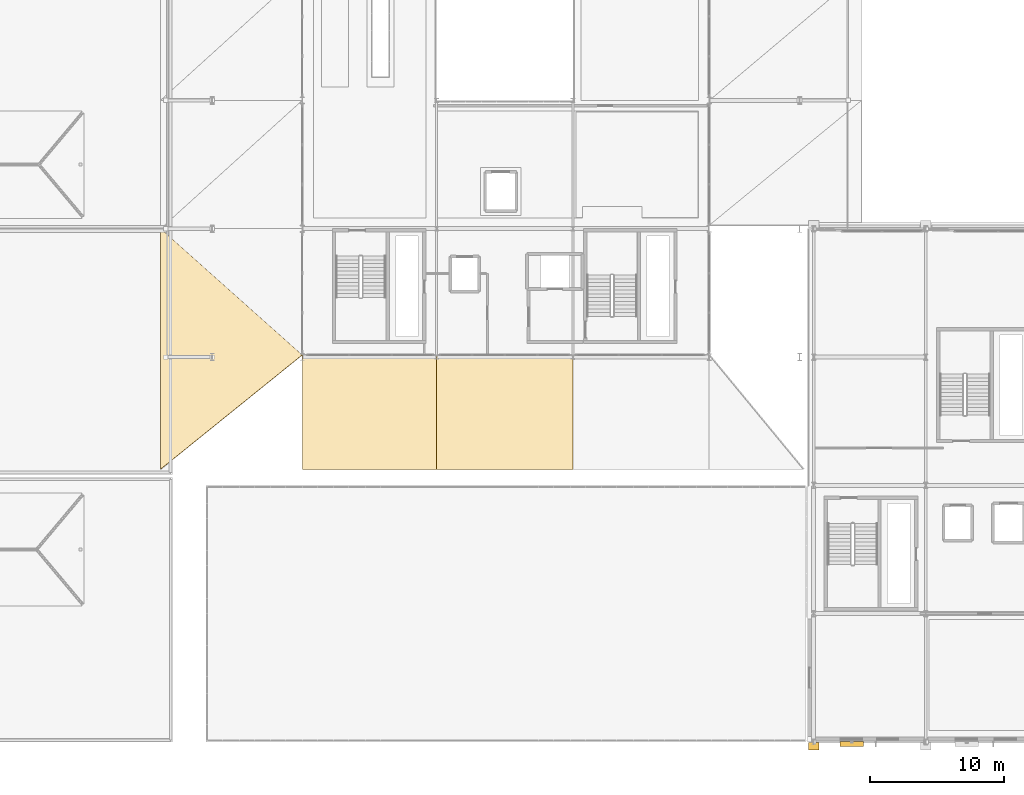
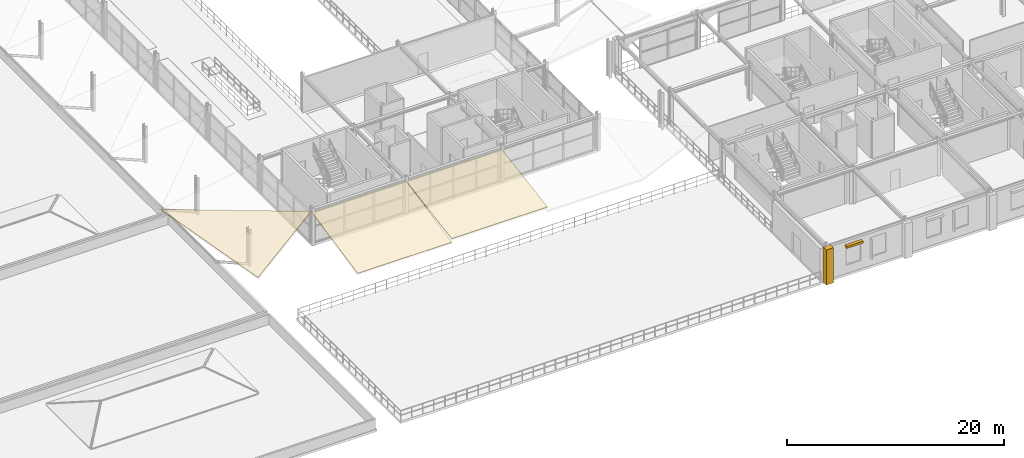
# One storey, part 63 of 81: 4 coverings, 1 shading device.
"""IFC4 building model written with IfcOpenShell, lengths in metres."""

from ifc_helpers import new_model, si_unit, direction, frame, origin, origin_2d, place, context, subcontext, project, spatial, polyline, rectangle, outline, extrude, material, layer, layer_set, type_object, element, save


model = new_model("IFC4")

# Units and contexts
model_context = context("Model", 3, precision=1e-05, world=origin(), true_north=direction((0.0, 1.0)))
body_context = subcontext(model_context, "Body", "Model", "MODEL_VIEW")
ifc_project = project(units=[si_unit("LENGTHUNIT", "METRE"), si_unit("AREAUNIT", "SQUARE_METRE"), si_unit("VOLUMEUNIT", "CUBIC_METRE"), si_unit("PLANEANGLEUNIT", "RADIAN"), si_unit("MASSUNIT", "GRAM", prefix="KILO")], contexts=[model_context])

# Site, building, storey
site_placement = place(None, origin())
site = spatial("IfcSite", under=ifc_project, at=site_placement, CompositionType="ELEMENT")
building_placement = place(site_placement, origin())
building = spatial("IfcBuilding", under=site, at=building_placement, Name="Myrtia Square Station", CompositionType="ELEMENT")
storey_placement = place(building_placement, frame((0.0, 0.0, 10.800048828125)))
storey = spatial("IfcBuildingStorey", under=building, at=storey_placement, Name="L02", CompositionType="ELEMENT", Elevation=10.800048828125)

# Coverings
ifc_material_1 = material(Name="Pentelic marble ashlar", Category="masonry")
ifc_layer_1 = layer(ifc_material_1, 0.4599609375, Name="Pentelic marble ashlar")
ifc_layer_set_1 = layer_set([ifc_layer_1], Name="Pentelic marble ashlar")
covering_type_1 = type_object("IfcCoveringType", Name="COV-ARCH-ASHLAR", PredefinedType="CLADDING", material=ifc_layer_set_1)
covering_1_placement = place(storey_placement, frame((117.60009765625, -0.320068359375, -0.0400390625), z_axis=(0.0, 0.0, 1.0), x_axis=(1.0, 0.0, 0.0)))
element("IfcCovering", 1, at=covering_1_placement, inside=storey, type_object=covering_type_1, Name="Classical Pentelic ashlar pilaster 006", PredefinedType="CLADDING", context=body_context, shape_type="SweptSolid", body=[
    extrude(rectangle(XDim=0.780029296875, YDim=0.56005859375, at=origin_2d()), origin(), (0.0, 0.0, 1.0), 3.93994140625),
])
ifc_material_2 = material(Name="Terracotta clay barrel tiles", Category="masonry")
ifc_layer_2 = layer(ifc_material_2, 0.06494140625, Name="Terracotta clay barrel tiles")
ifc_layer_set_2 = layer_set([ifc_layer_2], Name="Terracotta clay barrel tiles")
covering_type_2 = type_object("IfcCoveringType", Name="COV-TILE-TERRACOTTA", PredefinedType="ROOFING", material=ifc_layer_set_2)
covering_2_placement = place(storey_placement, frame((68.74951171875, 20.41162109375, 5.054931640625), z_axis=(-0.009145701054, 0.17719678887, 0.984132945372), x_axis=(0.774037184065, 0.624335679249, -0.105220707565)))
element("IfcCovering", 2, at=covering_2_placement, inside=storey, type_object=covering_type_2, Name="Terracotta clay barrel-tile roofing 063", PredefinedType="ROOFING", context=body_context, shape_type="SweptSolid", body=[
    extrude(outline(polyline([(0.0, 0.0), (13.694243291973867, -6.938893903907228e-16), (11.579059046049984, 14.157304029600205), (0.0, 0.0)])), origin(), (0.0, 0.0, -1.0), 0.06494140625),
])
covering_3_placement = place(storey_placement, frame((79.35009765625, 20.38671875, 1.8134765625), z_axis=(0.0, -0.206020338752, 0.978547709629), x_axis=(1.0, 0.0, 0.0)))
element("IfcCovering", 3, at=covering_3_placement, inside=storey, type_object=covering_type_2, Name="Terracotta clay barrel-tile roofing 077", PredefinedType="ROOFING", context=body_context, shape_type="SweptSolid", body=[
    extrude(outline(polyline([(0.0, 0.0), (10.0498046875, 0.0), (10.0498046875, 8.737238464070394), (0.0, 8.737238464070394), (0.0, 0.0)])), origin(), (0.0, 0.0, -1.0), 0.06494140625),
])
covering_4_placement = place(storey_placement, frame((89.39990234375, 20.389404296875, 2.214111328125), z_axis=(0.0, -0.161578883857, 0.986859799714), x_axis=(1.0, 0.0, 0.0)))
element("IfcCovering", 4, at=covering_4_placement, inside=storey, type_object=covering_type_2, Name="Terracotta clay barrel-tile roofing 079", PredefinedType="ROOFING", context=body_context, shape_type="SweptSolid", body=[
    extrude(outline(polyline([(0.0, 0.0), (10.2001953125, 0.0), (10.2001953125, 8.66389413228015), (0.0, 8.66389413228015), (0.0, 0.0)])), origin(), (0.0, 0.0, -1.0), 0.06494140625),
])

# Shading device
ifc_material_3 = material(Name="Dark bronze anodised aluminium", Category="aluminium")
shading_device_type = type_object("IfcShadingDeviceType", Name="SHD-JALOUSIE-BRONZE", PredefinedType="JALOUSIE", material=ifc_material_3)
shading_device_placement = place(storey_placement, frame((120.451904296875, -0.14990234375, 3.08984375), z_axis=(0.0, 0.0, 1.0), x_axis=(1.0, 0.0, 0.0)))
element("IfcShadingDevice", 5, at=shading_device_placement, inside=storey, type_object=shading_device_type, Name="Mediterranean bronze solar louvre SHL-019", PredefinedType="JALOUSIE", context=body_context, shape_type="SweptSolid", body=[
    extrude(rectangle(XDim=1.760009765625, YDim=0.35009765625, at=origin_2d()), origin(), (0.0, 0.0, 1.0), 0.219970703125),
])

save(model, "model.ifc")
